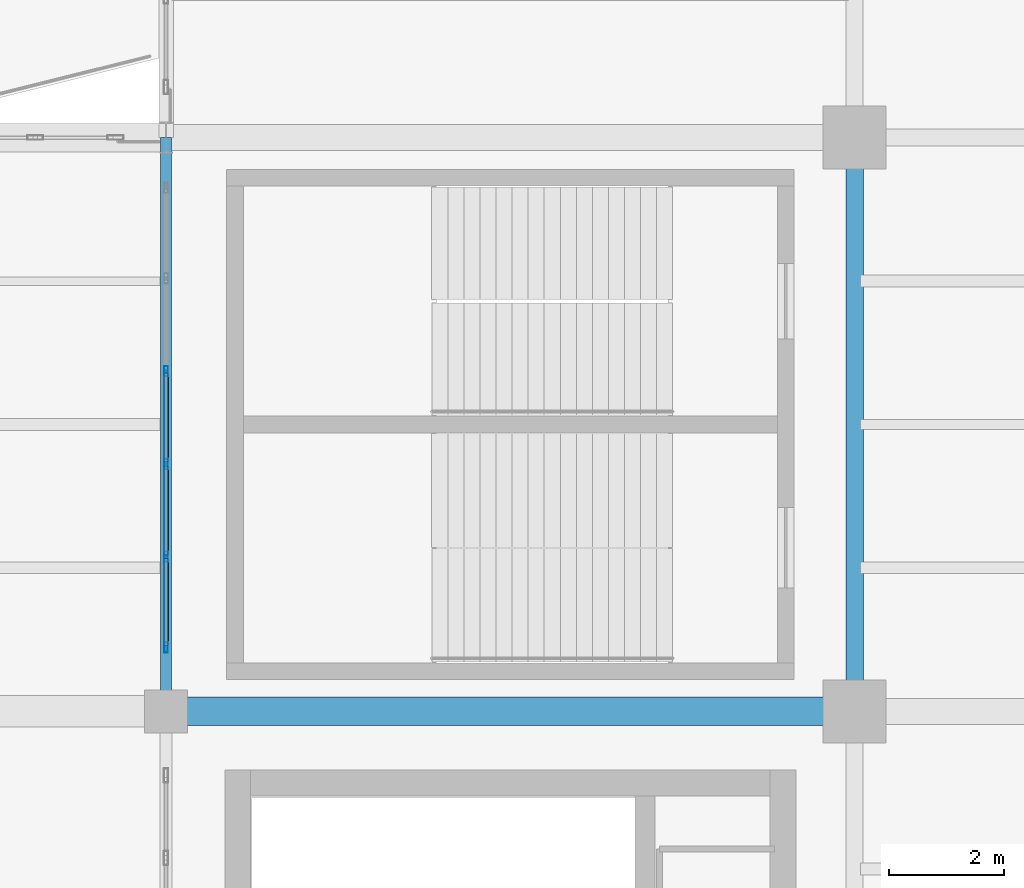
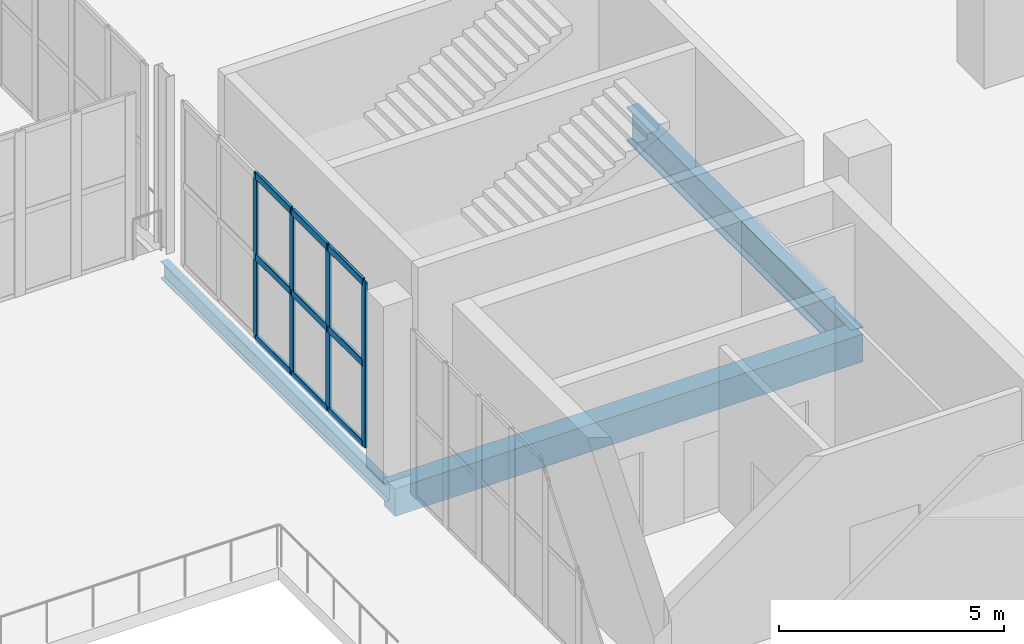
# One storey, part 32 of 136: 13 members, 3 beams, 1 element without a shape of its own.
"""IFC4 building model written with IfcOpenShell, lengths in metres."""

from ifc_helpers import new_model, si_unit, direction, frame, origin, origin_2d, place, context, subcontext, project, spatial, rectangle, hollow_rectangle, i_section, extrude, material, layer, layer_set, material_profile, profile_set, type_object, element, aggregate, save


model = new_model("IFC4")

# Units and contexts
model_context = context("Model", 3, precision=1e-05, world=origin(), true_north=direction((0.0, 1.0)))
body_context = subcontext(model_context, "Body", "Model", "MODEL_VIEW")
ifc_project = project(units=[si_unit("LENGTHUNIT", "METRE"), si_unit("AREAUNIT", "SQUARE_METRE"), si_unit("VOLUMEUNIT", "CUBIC_METRE"), si_unit("PLANEANGLEUNIT", "RADIAN"), si_unit("MASSUNIT", "GRAM", prefix="KILO")], contexts=[model_context])

# Site, building, storey
site_placement = place(None, origin())
site = spatial("IfcSite", under=ifc_project, at=site_placement, CompositionType="ELEMENT")
building_placement = place(site_placement, origin())
building = spatial("IfcBuilding", under=site, at=building_placement, Name="Brinegate Civic Arena", CompositionType="ELEMENT")
storey_placement = place(building_placement, frame((0.0, 0.0, 5.39990234375)))
storey = spatial("IfcBuildingStorey", under=building, at=storey_placement, Name="L01", CompositionType="ELEMENT", Elevation=5.39990234375)

# Curtain wall, members
ifc_material_1 = material(Name="Marine grade aluminium", Category="aluminium")
ifc_layer = layer(ifc_material_1, 0.199951171875, Name="Marine grade aluminium")
ifc_layer_set = layer_set([ifc_layer], Name="Marine grade aluminium")
curtain_wall_type = type_object("IfcCurtainWallType", Name="CW-BOWL-GLAZED-01", PredefinedType="USERDEFINED", material=ifc_layer_set)
curtain_wall_placement = place(storey_placement, origin())
curtain_wall = element("IfcCurtainWall", 1, at=curtain_wall_placement, inside=storey, type_object=curtain_wall_type, Name="Curtain Wall CWA-050", ObjectType="GLAZED CURTAIN WALL", PredefinedType="USERDEFINED")
ifc_material_profile_1 = material_profile(ifc_material_1, hollow_rectangle(XDim=0.06494140625, YDim=0.179931640625, WallThickness=0.0048828125, InnerFilletRadius=0.00390625, OuterFilletRadius=0.008056640625, at=origin_2d()), Name="MUL65X180")
ifc_profile_set_1 = profile_set([ifc_material_profile_1], Name="Marine grade aluminium")
member_type_1 = type_object("IfcMemberType", Name="CW-MULLION-65X180", PredefinedType="MULLION", material=ifc_profile_set_1)
member_1_placement = place(storey_placement, frame((48.0, 43.112548828125, 0.0), z_axis=(0.0, 0.0, 1.0), x_axis=(-1.0, 0.0, 0.0)))
member_1 = element("IfcMember", 2, at=member_1_placement, type_object=member_type_1, Name="CWA-050 mullion 1", PredefinedType="MULLION", context=body_context, shape_type="SweptSolid", body=[
    extrude(hollow_rectangle(XDim=0.06494140625, YDim=0.179931640625, WallThickness=0.0048828125, InnerFilletRadius=0.00390625, OuterFilletRadius=0.008056640625, at=origin_2d()), origin(), (0.0, 0.0, 1.0), 4.47021484375),
])
member_2_placement = place(storey_placement, frame((48.0, 44.695556640625, 0.0), z_axis=(0.0, 0.0, 1.0), x_axis=(-1.0, 0.0, 0.0)))
member_2 = element("IfcMember", 3, at=member_2_placement, type_object=member_type_1, Name="CWA-050 mullion 2", PredefinedType="MULLION", context=body_context, shape_type="SweptSolid", body=[
    extrude(hollow_rectangle(XDim=0.06494140625, YDim=0.179931640625, WallThickness=0.0048828125, InnerFilletRadius=0.00390625, OuterFilletRadius=0.008056640625, at=origin_2d()), origin(), (0.0, 0.0, 1.0), 4.47021484375),
])
member_3_placement = place(storey_placement, frame((48.0, 46.311279296875, 0.0), z_axis=(0.0, 0.0, 1.0), x_axis=(-1.0, 0.0, 0.0)))
member_3 = element("IfcMember", 4, at=member_3_placement, type_object=member_type_1, Name="CWA-050 mullion 3", PredefinedType="MULLION", context=body_context, shape_type="SweptSolid", body=[
    extrude(hollow_rectangle(XDim=0.06494140625, YDim=0.179931640625, WallThickness=0.0048828125, InnerFilletRadius=0.00390625, OuterFilletRadius=0.008056640625, at=origin_2d()), origin(), (0.0, 0.0, 1.0), 4.47021484375),
])
member_4_placement = place(storey_placement, frame((48.0, 47.9267578125, 0.0), z_axis=(0.0, 0.0, 1.0), x_axis=(-1.0, 0.0, 0.0)))
member_4 = element("IfcMember", 5, at=member_4_placement, type_object=member_type_1, Name="CWA-050 mullion 4", PredefinedType="MULLION", context=body_context, shape_type="SweptSolid", body=[
    extrude(hollow_rectangle(XDim=0.06494140625, YDim=0.179931640625, WallThickness=0.0048828125, InnerFilletRadius=0.00390625, OuterFilletRadius=0.008056640625, at=origin_2d()), origin(), (0.0, 0.0, 1.0), 4.47021484375),
])
ifc_material_profile_2 = material_profile(ifc_material_1, hollow_rectangle(XDim=0.074951171875, YDim=0.18994140625, WallThickness=0.006103515625, InnerFilletRadius=0.00390625, OuterFilletRadius=0.008056640625, at=origin_2d()), Name="TRN75X190")
ifc_profile_set_2 = profile_set([ifc_material_profile_2], Name="Marine grade aluminium")
member_type_2 = type_object("IfcMemberType", Name="CW-TRANSOM-75X190", PredefinedType="USERDEFINED", material=ifc_profile_set_2)
member_5_placement = place(storey_placement, frame((48.0, 43.14501953125, 0.03759765625), z_axis=(0.0, 1.0, 0.0), x_axis=(-1.0, 0.0, 0.0)))
member_5 = element("IfcMember", 6, at=member_5_placement, type_object=member_type_2, Name="CWA-050 transom 1.1", ObjectType="TRANSOM", PredefinedType="USERDEFINED", context=body_context, shape_type="SweptSolid", body=[
    extrude(hollow_rectangle(XDim=0.074951171875, YDim=0.18994140625, WallThickness=0.006103515625, InnerFilletRadius=0.00390625, OuterFilletRadius=0.008056640625, at=origin_2d()), origin(), (0.0, 0.0, 1.0), 1.51806640625),
])
member_6_placement = place(storey_placement, frame((48.0, 43.14501953125, 2.235107421875), z_axis=(0.0, 1.0, 0.0), x_axis=(-1.0, 0.0, 0.0)))
member_6 = element("IfcMember", 7, at=member_6_placement, type_object=member_type_2, Name="CWA-050 transom 1.2", ObjectType="TRANSOM", PredefinedType="USERDEFINED", context=body_context, shape_type="SweptSolid", body=[
    extrude(hollow_rectangle(XDim=0.074951171875, YDim=0.18994140625, WallThickness=0.006103515625, InnerFilletRadius=0.00390625, OuterFilletRadius=0.008056640625, at=origin_2d()), origin(), (0.0, 0.0, 1.0), 1.51806640625),
])
member_7_placement = place(storey_placement, frame((48.0, 43.14501953125, 4.4326171875), z_axis=(0.0, 1.0, 0.0), x_axis=(-1.0, 0.0, 0.0)))
member_7 = element("IfcMember", 8, at=member_7_placement, type_object=member_type_2, Name="CWA-050 transom 1.3", ObjectType="TRANSOM", PredefinedType="USERDEFINED", context=body_context, shape_type="SweptSolid", body=[
    extrude(hollow_rectangle(XDim=0.074951171875, YDim=0.18994140625, WallThickness=0.006103515625, InnerFilletRadius=0.00390625, OuterFilletRadius=0.008056640625, at=origin_2d()), origin(), (0.0, 0.0, 1.0), 1.51806640625),
])
member_8_placement = place(storey_placement, frame((48.0, 44.72802734375, 0.03759765625), z_axis=(0.0, 1.0, 0.0), x_axis=(-1.0, 0.0, 0.0)))
member_8 = element("IfcMember", 9, at=member_8_placement, type_object=member_type_2, Name="CWA-050 transom 2.1", ObjectType="TRANSOM", PredefinedType="USERDEFINED", context=body_context, shape_type="SweptSolid", body=[
    extrude(hollow_rectangle(XDim=0.074951171875, YDim=0.18994140625, WallThickness=0.006103515625, InnerFilletRadius=0.00390625, OuterFilletRadius=0.008056640625, at=origin_2d()), origin(), (0.0, 0.0, 1.0), 1.55078125),
])
member_9_placement = place(storey_placement, frame((48.0, 44.72802734375, 2.235107421875), z_axis=(0.0, 1.0, 0.0), x_axis=(-1.0, 0.0, 0.0)))
member_9 = element("IfcMember", 10, at=member_9_placement, type_object=member_type_2, Name="CWA-050 transom 2.2", ObjectType="TRANSOM", PredefinedType="USERDEFINED", context=body_context, shape_type="SweptSolid", body=[
    extrude(hollow_rectangle(XDim=0.074951171875, YDim=0.18994140625, WallThickness=0.006103515625, InnerFilletRadius=0.00390625, OuterFilletRadius=0.008056640625, at=origin_2d()), origin(), (0.0, 0.0, 1.0), 1.55078125),
])
member_10_placement = place(storey_placement, frame((48.0, 44.72802734375, 4.4326171875), z_axis=(0.0, 1.0, 0.0), x_axis=(-1.0, 0.0, 0.0)))
member_10 = element("IfcMember", 11, at=member_10_placement, type_object=member_type_2, Name="CWA-050 transom 2.3", ObjectType="TRANSOM", PredefinedType="USERDEFINED", context=body_context, shape_type="SweptSolid", body=[
    extrude(hollow_rectangle(XDim=0.074951171875, YDim=0.18994140625, WallThickness=0.006103515625, InnerFilletRadius=0.00390625, OuterFilletRadius=0.008056640625, at=origin_2d()), origin(), (0.0, 0.0, 1.0), 1.55078125),
])
member_11_placement = place(storey_placement, frame((48.0, 46.34375, 0.03759765625), z_axis=(0.0, 1.0, 0.0), x_axis=(-1.0, 0.0, 0.0)))
member_11 = element("IfcMember", 12, at=member_11_placement, type_object=member_type_2, Name="CWA-050 transom 3.1", ObjectType="TRANSOM", PredefinedType="USERDEFINED", context=body_context, shape_type="SweptSolid", body=[
    extrude(hollow_rectangle(XDim=0.074951171875, YDim=0.18994140625, WallThickness=0.006103515625, InnerFilletRadius=0.00390625, OuterFilletRadius=0.008056640625, at=origin_2d()), origin(), (0.0, 0.0, 1.0), 1.550537109375),
])
member_12_placement = place(storey_placement, frame((48.0, 46.34375, 2.235107421875), z_axis=(0.0, 1.0, 0.0), x_axis=(-1.0, 0.0, 0.0)))
member_12 = element("IfcMember", 13, at=member_12_placement, type_object=member_type_2, Name="CWA-050 transom 3.2", ObjectType="TRANSOM", PredefinedType="USERDEFINED", context=body_context, shape_type="SweptSolid", body=[
    extrude(hollow_rectangle(XDim=0.074951171875, YDim=0.18994140625, WallThickness=0.006103515625, InnerFilletRadius=0.00390625, OuterFilletRadius=0.008056640625, at=origin_2d()), origin(), (0.0, 0.0, 1.0), 1.550537109375),
])
member_13_placement = place(storey_placement, frame((48.0, 46.34375, 4.4326171875), z_axis=(0.0, 1.0, 0.0), x_axis=(-1.0, 0.0, 0.0)))
member_13 = element("IfcMember", 14, at=member_13_placement, type_object=member_type_2, Name="CWA-050 transom 3.3", ObjectType="TRANSOM", PredefinedType="USERDEFINED", context=body_context, shape_type="SweptSolid", body=[
    extrude(hollow_rectangle(XDim=0.074951171875, YDim=0.18994140625, WallThickness=0.006103515625, InnerFilletRadius=0.00390625, OuterFilletRadius=0.008056640625, at=origin_2d()), origin(), (0.0, 0.0, 1.0), 1.550537109375),
])
aggregate(curtain_wall, [member_1, member_2, member_3, member_4, member_5, member_6, member_7, member_8, member_9, member_10, member_11, member_12, member_13])

# Beams
ifc_material_2 = material(Name="Steel S355", Category="steel")
ifc_material_profile_3 = material_profile(ifc_material_2, i_section(OverallWidth=0.30810546875, OverallDepth=0.927001953125, WebThickness=0.01904296875, FlangeThickness=0.031982421875, FilletRadius=0.02392578125, at=origin_2d()), Name="W920X289")
ifc_profile_set_3 = profile_set([ifc_material_profile_3], Name="Steel S355")
beam_type_1 = type_object("IfcBeamType", Name="GIRDER-W920X289", PredefinedType="BEAM", material=ifc_profile_set_3)
beam_1_placement = place(storey_placement, frame((60.0, 42.0, -0.802978515625), z_axis=(0.0, 1.0, 0.0), x_axis=(-1.0, 0.0, 0.0)))
element("IfcBeam", 15, at=beam_1_placement, inside=storey, type_object=beam_type_1, Name="Floor Girder BM-L01-GY-05-04", PredefinedType="BEAM", context=body_context, shape_type="SweptSolid", body=[
    extrude(i_section(OverallWidth=0.30810546875, OverallDepth=0.927001953125, WebThickness=0.01904296875, FlangeThickness=0.031982421875, FilletRadius=0.02392578125, at=origin_2d()), origin(), (0.0, 0.0, 1.0), 10.0),
])
ifc_material_3 = material(Name="Concrete C50/60", Category="concrete")
ifc_material_profile_4 = material_profile(ifc_material_3, rectangle(XDim=0.5, YDim=0.75, at=origin_2d()), Name="RCB500X750")
ifc_profile_set_4 = profile_set([ifc_material_profile_4], Name="Concrete C50/60")
beam_type_2 = type_object("IfcBeamType", Name="RCG-500X750", PredefinedType="BEAM", material=ifc_profile_set_4)
beam_2_placement = place(storey_placement, frame((48.0, 42.0, -0.71484375), z_axis=(1.0, 0.0, 0.0), x_axis=(0.0, 1.0, 0.0)))
element("IfcBeam", 16, at=beam_2_placement, inside=storey, type_object=beam_type_2, Name="Floor Girder BM-L01-GX-04-04", PredefinedType="BEAM", context=body_context, shape_type="SweptSolid", body=[
    extrude(rectangle(XDim=0.5, YDim=0.75, at=origin_2d()), origin(), (0.0, 0.0, 1.0), 12.0),
])
ifc_material_profile_5 = material_profile(ifc_material_2, i_section(OverallWidth=0.193115234375, OverallDepth=0.466064453125, WebThickness=0.010986328125, FlangeThickness=0.01904296875, FilletRadius=0.014892578125, at=origin_2d()), Name="W460X97")
ifc_profile_set_5 = profile_set([ifc_material_profile_5], Name="Steel S355")
beam_type_3 = type_object("IfcBeamType", Name="SPANDREL-W460X97", PredefinedType="SPANDREL", material=ifc_profile_set_5)
beam_3_placement = place(storey_placement, frame((48.0, 42.0, -0.572998046875), z_axis=(0.0, 1.0, 0.0), x_axis=(-1.0, 0.0, 0.0)))
element("IfcBeam", 17, at=beam_3_placement, inside=storey, type_object=beam_type_3, Name="Floor Girder BM-L01-GY-04-04", PredefinedType="SPANDREL", context=body_context, shape_type="SweptSolid", body=[
    extrude(i_section(OverallWidth=0.193115234375, OverallDepth=0.466064453125, WebThickness=0.010986328125, FlangeThickness=0.01904296875, FilletRadius=0.014892578125, at=origin_2d()), origin(), (0.0, 0.0, 1.0), 10.0),
])

save(model, "model.ifc")
